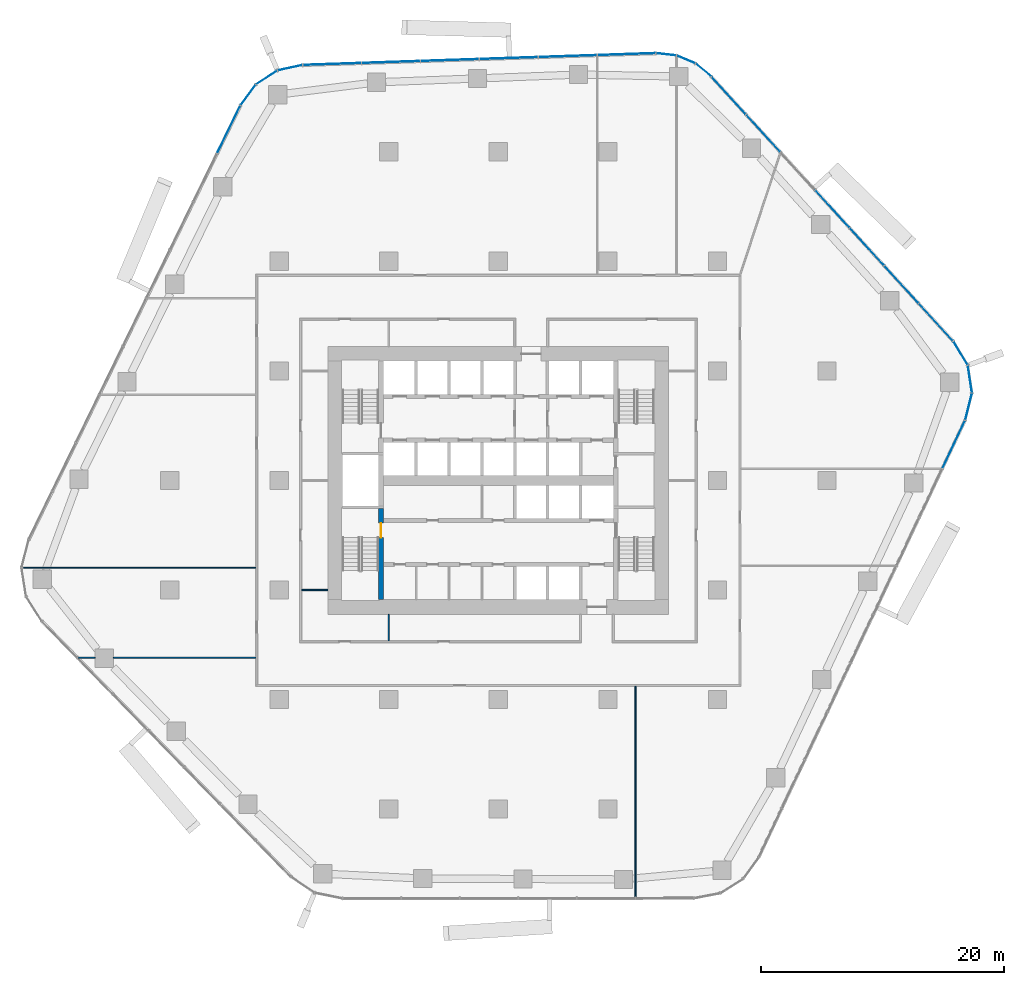
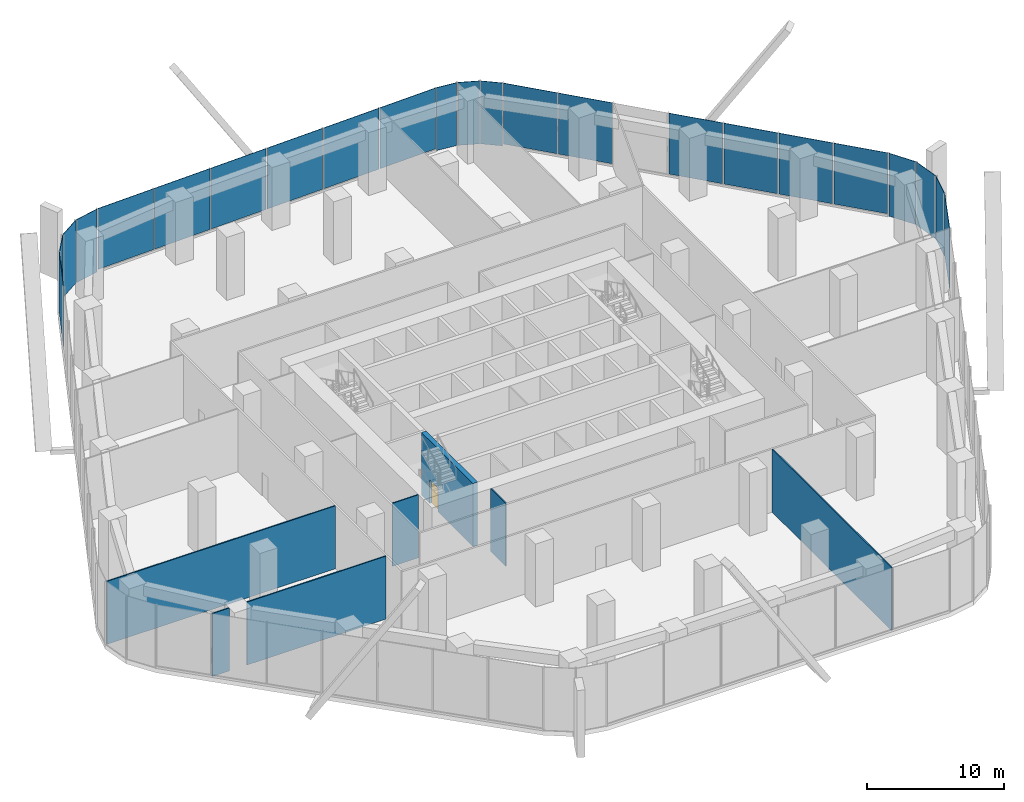
# One storey, part 10 of 19: 23 plates, 7 walls, 1 door, 1 opening, 7 elements without a shape of their own.
"""IFC4 building model written with IfcOpenShell, lengths in metres."""

from ifc_helpers import new_model, si_unit, direction, frame, frame_2d, origin, origin_2d, place, context, subcontext, project, spatial, rectangle, extrude, material, layer, layer_set, type_object, element, fill, aggregate, save


model = new_model("IFC4")

# Units and contexts
model_context = context("Model", 3, precision=1e-05, world=origin(), true_north=direction((0.0, 1.0)))
body_context = subcontext(model_context, "Body", "Model", "MODEL_VIEW")
ifc_project = project(units=[si_unit("LENGTHUNIT", "METRE"), si_unit("AREAUNIT", "SQUARE_METRE"), si_unit("VOLUMEUNIT", "CUBIC_METRE"), si_unit("PLANEANGLEUNIT", "RADIAN"), si_unit("MASSUNIT", "GRAM", prefix="KILO")], contexts=[model_context])

# Site, building, storey
site_placement = place(None, origin())
site = spatial("IfcSite", under=ifc_project, at=site_placement, CompositionType="ELEMENT")
building_placement = place(site_placement, origin())
building = spatial("IfcBuilding", under=site, at=building_placement, Name="Dongbaek Canopy Tower", CompositionType="ELEMENT")
storey_placement = place(building_placement, frame((0.0, 0.0, 38.0)))
storey = spatial("IfcBuildingStorey", under=building, at=storey_placement, Name="L05", CompositionType="ELEMENT", Elevation=38.0)

# Curtain wall, plates
ifc_material_1 = material(Name="Aluminium 6063-T6 pale anodised", Category="aluminium")
ifc_layer_1 = layer(ifc_material_1, 0.25)
ifc_layer_set_1 = layer_set([ifc_layer_1], Name="CW-4 sky-lobby curtain wall")
curtain_wall_type = type_object("IfcCurtainWallType", Name="CW-4 sky-lobby curtain wall", PredefinedType="NOTDEFINED", material=ifc_layer_set_1)
curtain_wall_1_placement = place(storey_placement, origin())
curtain_wall_1 = element("IfcCurtainWall", 1, at=curtain_wall_1_placement, inside=storey, type_object=curtain_wall_type, Name="CW-4 curtain wall K0.1", PredefinedType="NOTDEFINED")
ifc_material_2 = material(Name="Clear laminated glass", Category="glass")
ifc_layer_2 = layer(ifc_material_2, 0.035888671875)
ifc_layer_set_2 = layer_set([ifc_layer_2], Name="CW-4 glazed panel 36")
plate_type = type_object("IfcPlateType", Name="CW-4 glazed panel 36", PredefinedType="CURTAIN_PANEL", material=ifc_layer_set_2)
plate_1_placement = place(storey_placement, frame((38.641357421875, 6.05859375, 0.0), z_axis=(0.0, 0.0, 1.0), x_axis=(0.241843568261, 0.970315252117, 0.0)))
plate_1 = element("IfcPlate", 2, at=plate_1_placement, type_object=plate_type, Name="CW-4 panel K0.1.1.1", PredefinedType="CURTAIN_PANEL", context=body_context, shape_type="SweptSolid", body=[
    extrude(rectangle(XDim=2.224365234375, YDim=0.035888671875, at=origin_2d()), origin(), (0.0, 0.0, 1.0), 5.60009765625),
])
plate_2_placement = place(storey_placement, frame((38.749755859375, 8.324462890625, 0.0), z_axis=(0.0, 0.0, 1.0), x_axis=(-0.149077365062, 0.988825535282, 0.0)))
plate_2 = element("IfcPlate", 3, at=plate_2_placement, type_object=plate_type, Name="CW-4 panel K0.1.2.1", PredefinedType="CURTAIN_PANEL", context=body_context, shape_type="SweptSolid", body=[
    extrude(rectangle(XDim=2.21435546875, YDim=0.035888671875, at=origin_2d()), origin(), (0.0, 0.0, 1.0), 5.60009765625),
])
plate_3_placement = place(storey_placement, frame((37.978271484375, 10.4580078125, 0.0), z_axis=(0.0, 0.0, 1.0), x_axis=(-0.51716533983, 0.85588551295, 0.0)))
plate_3 = element("IfcPlate", 4, at=plate_3_placement, type_object=plate_type, Name="CW-4 panel K0.1.3.1", PredefinedType="CURTAIN_PANEL", context=body_context, shape_type="SweptSolid", body=[
    extrude(rectangle(XDim=2.224365234375, YDim=0.035888671875, at=origin_2d()), origin(), (0.0, 0.0, 1.0), 5.60009765625),
])
aggregate(curtain_wall_1, [plate_1, plate_2, plate_3])

curtain_wall_2_placement = place(storey_placement, origin())
curtain_wall_2 = element("IfcCurtainWall", 5, at=curtain_wall_2_placement, inside=storey, type_object=curtain_wall_type, Name="CW-4 curtain wall F0.1", PredefinedType="NOTDEFINED")
plate_4_placement = place(storey_placement, frame((35.962158203125, 12.999755859375, 0.179931640625), z_axis=(0.0, 0.0, 1.0), x_axis=(-0.674646668897, 0.738140821352, 0.0)))
plate_4 = element("IfcPlate", 6, at=plate_4_placement, type_object=plate_type, Name="CW-4 panel F0.1.1.1", PredefinedType="CURTAIN_PANEL", context=body_context, shape_type="SweptSolid", body=[
    extrude(rectangle(XDim=4.105224609375, YDim=0.035888671875, at=origin_2d()), origin(), (0.0, 0.0, 1.0), 5.419921875),
])
plate_5_placement = place(storey_placement, frame((33.1259765625, 16.10302734375, 0.179931640625), z_axis=(0.0, 0.0, 1.0), x_axis=(-0.674646668897, 0.738140821352, 0.0)))
plate_5 = element("IfcPlate", 7, at=plate_5_placement, type_object=plate_type, Name="CW-4 panel F0.1.2.1", PredefinedType="CURTAIN_PANEL", context=body_context, shape_type="SweptSolid", body=[
    extrude(rectangle(XDim=4.114990234375, YDim=0.035888671875, at=origin_2d()), origin(), (0.0, 0.0, 1.0), 5.419921875),
])
plate_6_placement = place(storey_placement, frame((30.286376953125, 19.2099609375, 0.179931640625), z_axis=(0.0, 0.0, 1.0), x_axis=(-0.674646668897, 0.738140821352, 0.0)))
plate_6 = element("IfcPlate", 8, at=plate_6_placement, type_object=plate_type, Name="CW-4 panel F0.1.3.1", PredefinedType="CURTAIN_PANEL", context=body_context, shape_type="SweptSolid", body=[
    extrude(rectangle(XDim=4.114990234375, YDim=0.035888671875, at=origin_2d()), origin(), (0.0, 0.0, 1.0), 5.419921875),
])
plate_7_placement = place(storey_placement, frame((27.44677734375, 22.316650390625, 0.179931640625), z_axis=(0.0, 0.0, 1.0), x_axis=(-0.674646668897, 0.738140821352, 0.0)))
plate_7 = element("IfcPlate", 9, at=plate_7_placement, type_object=plate_type, Name="CW-4 panel F0.1.4.1", PredefinedType="CURTAIN_PANEL", context=body_context, shape_type="SweptSolid", body=[
    extrude(rectangle(XDim=4.114990234375, YDim=0.035888671875, at=origin_2d()), origin(), (0.0, 0.0, 1.0), 5.419921875),
])
plate_8_placement = place(storey_placement, frame((21.767578125, 28.530517578125, 0.179931640625), z_axis=(0.0, 0.0, 1.0), x_axis=(-0.674646668897, 0.738140821352, 0.0)))
plate_8 = element("IfcPlate", 10, at=plate_8_placement, type_object=plate_type, Name="CW-4 panel F0.1.6.1", PredefinedType="CURTAIN_PANEL", context=body_context, shape_type="SweptSolid", body=[
    extrude(rectangle(XDim=4.114990234375, YDim=0.035888671875, at=origin_2d()), origin(), (0.0, 0.0, 1.0), 5.419921875),
])
plate_9_placement = place(storey_placement, frame((18.930419921875, 31.634521484375, 0.179931640625), z_axis=(0.0, 0.0, 1.0), x_axis=(-0.674646668897, 0.738140821352, 0.0)))
plate_9 = element("IfcPlate", 11, at=plate_9_placement, type_object=plate_type, Name="CW-4 panel F0.1.7.1", PredefinedType="CURTAIN_PANEL", context=body_context, shape_type="SweptSolid", body=[
    extrude(rectangle(XDim=4.10791015625, YDim=0.035888671875, at=origin_2d()), origin(), (0.0, 0.0, 1.0), 5.419921875),
])
aggregate(curtain_wall_2, [plate_4, plate_5, plate_6, plate_7, plate_8, plate_9])

curtain_wall_3_placement = place(storey_placement, origin())
curtain_wall_3 = element("IfcCurtainWall", 12, at=curtain_wall_3_placement, inside=storey, type_object=curtain_wall_type, Name="CW-4 curtain wall K1.1", PredefinedType="NOTDEFINED")
plate_10_placement = place(storey_placement, frame((16.85546875, 33.723876953125, 0.0), z_axis=(0.0, 0.0, 1.0), x_axis=(-0.773563840337, 0.633718379821, 0.0)))
plate_10 = element("IfcPlate", 13, at=plate_10_placement, type_object=plate_type, Name="CW-4 panel K1.1.1.1", PredefinedType="CURTAIN_PANEL", context=body_context, shape_type="SweptSolid", body=[
    extrude(rectangle(XDim=1.60595703125, YDim=0.035888671875, at=origin_2d()), origin(), (0.0, 0.0, 1.0), 5.60009765625),
])
plate_11_placement = place(storey_placement, frame((15.41796875, 34.5908203125, 0.0), z_axis=(0.0, 0.0, 1.0), x_axis=(-0.921670839432, 0.387972761597, 0.0)))
plate_11 = element("IfcPlate", 14, at=plate_11_placement, type_object=plate_type, Name="CW-4 panel K1.1.2.1", PredefinedType="CURTAIN_PANEL", context=body_context, shape_type="SweptSolid", body=[
    extrude(rectangle(XDim=1.5986328125, YDim=0.035888671875, at=origin_2d()), origin(), (0.0, 0.0, 1.0), 5.60009765625),
])
plate_12_placement = place(storey_placement, frame((13.79345703125, 35.012939453125, 0.0), z_axis=(0.0, 0.0, 1.0), x_axis=(-0.993899819316, 0.110286668117, 0.0)))
plate_12 = element("IfcPlate", 15, at=plate_12_placement, type_object=plate_type, Name="CW-4 panel K1.1.3.1", PredefinedType="CURTAIN_PANEL", context=body_context, shape_type="SweptSolid", body=[
    extrude(rectangle(XDim=1.60595703125, YDim=0.035888671875, at=origin_2d()), origin(), (0.0, 0.0, 1.0), 5.60009765625),
])
aggregate(curtain_wall_3, [plate_10, plate_11, plate_12])

curtain_wall_4_placement = place(storey_placement, origin())
curtain_wall_4 = element("IfcCurtainWall", 16, at=curtain_wall_4_placement, inside=storey, type_object=curtain_wall_type, Name="CW-4 curtain wall F1.1", PredefinedType="NOTDEFINED")
plate_13_placement = place(storey_placement, frame((10.5322265625, 35.02587890625, 0.179931640625), z_axis=(0.0, 0.0, 1.0), x_axis=(-0.999440657305, -0.033442077166, 0.0)))
plate_13 = element("IfcPlate", 17, at=plate_13_placement, type_object=plate_type, Name="CW-4 panel F1.1.1.1", PredefinedType="CURTAIN_PANEL", context=body_context, shape_type="SweptSolid", body=[
    extrude(rectangle(XDim=4.741455078125, YDim=0.035888671875, at=origin_2d()), origin(), (0.0, 0.0, 1.0), 5.419921875),
])
plate_14_placement = place(storey_placement, frame((5.696044921875, 34.864013671875, 0.179931640625), z_axis=(0.0, 0.0, 1.0), x_axis=(-0.999440657305, -0.033442077166, 0.0)))
plate_14 = element("IfcPlate", 18, at=plate_14_placement, type_object=plate_type, Name="CW-4 panel F1.1.2.1", PredefinedType="CURTAIN_PANEL", context=body_context, shape_type="SweptSolid", body=[
    extrude(rectangle(XDim=4.74853515625, YDim=0.035888671875, at=origin_2d()), origin(), (0.0, 0.0, 1.0), 5.419921875),
])
plate_15_placement = place(storey_placement, frame((0.856201171875, 34.7021484375, 0.179931640625), z_axis=(0.0, 0.0, 1.0), x_axis=(-0.999440657305, -0.033442077166, 0.0)))
plate_15 = element("IfcPlate", 19, at=plate_15_placement, type_object=plate_type, Name="CW-4 panel F1.1.3.1", PredefinedType="CURTAIN_PANEL", context=body_context, shape_type="SweptSolid", body=[
    extrude(rectangle(XDim=4.74853515625, YDim=0.035888671875, at=origin_2d()), origin(), (0.0, 0.0, 1.0), 5.419921875),
])
plate_16_placement = place(storey_placement, frame((-3.983642578125, 34.540283203125, 0.179931640625), z_axis=(0.0, 0.0, 1.0), x_axis=(-0.999440657305, -0.033442077166, 0.0)))
plate_16 = element("IfcPlate", 20, at=plate_16_placement, type_object=plate_type, Name="CW-4 panel F1.1.4.1", PredefinedType="CURTAIN_PANEL", context=body_context, shape_type="SweptSolid", body=[
    extrude(rectangle(XDim=4.74853515625, YDim=0.035888671875, at=origin_2d()), origin(), (0.0, 0.0, 1.0), 5.419921875),
])
plate_17_placement = place(storey_placement, frame((-8.823486328125, 34.378173828125, 0.179931640625), z_axis=(0.0, 0.0, 1.0), x_axis=(-0.999440657305, -0.033442077166, 0.0)))
plate_17 = element("IfcPlate", 21, at=plate_17_placement, type_object=plate_type, Name="CW-4 panel F1.1.5.1", PredefinedType="CURTAIN_PANEL", context=body_context, shape_type="SweptSolid", body=[
    extrude(rectangle(XDim=4.74853515625, YDim=0.035888671875, at=origin_2d()), origin(), (0.0, 0.0, 1.0), 5.419921875),
])
plate_18_placement = place(storey_placement, frame((-13.658935546875, 34.21630859375, 0.179931640625), z_axis=(0.0, 0.0, 1.0), x_axis=(-0.999440657305, -0.033442077166, 0.0)))
plate_18 = element("IfcPlate", 22, at=plate_18_placement, type_object=plate_type, Name="CW-4 panel F1.1.6.1", PredefinedType="CURTAIN_PANEL", context=body_context, shape_type="SweptSolid", body=[
    extrude(rectangle(XDim=4.739501953125, YDim=0.035888671875, at=origin_2d()), origin(), (0.0, 0.0, 1.0), 5.419921875),
])
aggregate(curtain_wall_4, [plate_13, plate_14, plate_15, plate_16, plate_17, plate_18])

curtain_wall_5_placement = place(storey_placement, origin())
curtain_wall_5 = element("IfcCurtainWall", 23, at=curtain_wall_5_placement, inside=storey, type_object=curtain_wall_type, Name="CW-4 curtain wall K2.1", PredefinedType="NOTDEFINED")
plate_19_placement = place(storey_placement, frame((-17.114013671875, 33.90966796875, 0.0), z_axis=(0.0, 0.0, 1.0), x_axis=(-0.977178622754, -0.212419253442, 0.0)))
plate_19 = element("IfcPlate", 24, at=plate_19_placement, type_object=plate_type, Name="CW-4 panel K2.1.1.1", PredefinedType="CURTAIN_PANEL", context=body_context, shape_type="SweptSolid", body=[
    extrude(rectangle(XDim=2.0341796875, YDim=0.035888671875, at=origin_2d()), origin(), (0.0, 0.0, 1.0), 5.60009765625),
])
plate_20_placement = place(storey_placement, frame((-19.042724609375, 33.107177734375, 0.0), z_axis=(0.0, 0.0, 1.0), x_axis=(-0.8390544011, -0.544047527331, 0.0)))
plate_20 = element("IfcPlate", 25, at=plate_20_placement, type_object=plate_type, Name="CW-4 panel K2.1.2.1", PredefinedType="CURTAIN_PANEL", context=body_context, shape_type="SweptSolid", body=[
    extrude(rectangle(XDim=2.02490234375, YDim=0.035888671875, at=origin_2d()), origin(), (0.0, 0.0, 1.0), 5.60009765625),
])
plate_21_placement = place(storey_placement, frame((-20.5625, 31.673583984375, 0.0), z_axis=(0.0, 0.0, 1.0), x_axis=(-0.59264549968, -0.805463414258, 0.0)))
plate_21 = element("IfcPlate", 26, at=plate_21_placement, type_object=plate_type, Name="CW-4 panel K2.1.3.1", PredefinedType="CURTAIN_PANEL", context=body_context, shape_type="SweptSolid", body=[
    extrude(rectangle(XDim=2.0341796875, YDim=0.035888671875, at=origin_2d()), origin(), (0.0, 0.0, 1.0), 5.60009765625),
])
aggregate(curtain_wall_5, [plate_19, plate_20, plate_21])

# Curtain wall, plate
curtain_wall_6_placement = place(storey_placement, origin())
curtain_wall_6 = element("IfcCurtainWall", 27, at=curtain_wall_6_placement, inside=storey, type_object=curtain_wall_type, Name="CW-4 curtain wall F2.1", PredefinedType="NOTDEFINED")
plate_22_placement = place(storey_placement, frame((-22.157958984375, 28.837890625, 0.179931640625), z_axis=(0.0, 0.0, 1.0), x_axis=(-0.438327995219, -0.898815091444, 0.0)))
plate_22 = element("IfcPlate", 28, at=plate_22_placement, type_object=plate_type, Name="CW-4 panel F2.1.1.1", PredefinedType="CURTAIN_PANEL", context=body_context, shape_type="SweptSolid", body=[
    extrude(rectangle(XDim=4.308837890625, YDim=0.035888671875, at=origin_2d()), origin(), (0.0, 0.0, 1.0), 5.419921875),
])
aggregate(curtain_wall_6, [plate_22])

curtain_wall_7_placement = place(storey_placement, origin())
curtain_wall_7 = element("IfcCurtainWall", 29, at=curtain_wall_7_placement, inside=storey, type_object=curtain_wall_type, Name="CW-4 curtain wall F5.1", PredefinedType="NOTDEFINED")
plate_23_placement = place(storey_placement, frame((37.42138671875, 2.944091796875, 0.179931640625), z_axis=(0.0, 0.0, 1.0), x_axis=(0.427038992534, 0.904233210436, 0.0)))
plate_23 = element("IfcPlate", 30, at=plate_23_placement, type_object=plate_type, Name="CW-4 panel F5.1.9.1", PredefinedType="CURTAIN_PANEL", context=body_context, shape_type="SweptSolid", body=[
    extrude(rectangle(XDim=4.30712890625, YDim=0.035888671875, at=origin_2d()), origin(), (0.0, 0.0, 1.0), 5.419921875),
])
aggregate(curtain_wall_7, [plate_23])

# Walls
ifc_material_3 = material(Name="Gypsum board partition, steel stud, 2 x 12.5 mm board", Category="steel")
ifc_layer_3 = layer(ifc_material_3, 0.10009765625)
ifc_layer_set_3 = layer_set([ifc_layer_3], Name="Partition 100 gypsum board")
wall_type_1 = type_object("IfcWallType", Name="Partition 100 gypsum board", PredefinedType="PARTITIONING", material=ifc_layer_set_3)
wall_1_placement = place(storey_placement, frame((-34.560791015625, -14.569091796875, 0.0), z_axis=(0.0, 0.0, 1.0), x_axis=(1.0, 0.0, 0.0)))
element("IfcWall", 31, at=wall_1_placement, inside=storey, type_object=wall_type_1, Name="Partition", PredefinedType="PARTITIONING", context=body_context, shape_type="SweptSolid", body=[
    extrude(rectangle(XDim=1.4287109375, YDim=0.10009765625, at=frame_2d((0.71435546875, 0.0))), origin(), (0.0, 0.0, 1.0), 5.60009765625),
])
wall_2_placement = place(storey_placement, frame((-31.632080078125, -14.569091796875, 0.0), z_axis=(0.0, 0.0, 1.0), x_axis=(1.0, 0.0, 0.0)))
element("IfcWall", 32, at=wall_2_placement, inside=storey, type_object=wall_type_1, Name="Partition", PredefinedType="PARTITIONING", context=body_context, shape_type="SweptSolid", body=[
    extrude(rectangle(XDim=11.70703125, YDim=0.10009765625, at=frame_2d((5.853515625, 0.0))), origin(), (0.0, 0.0, 1.0), 5.60009765625),
])
wall_3_placement = place(storey_placement, frame((-16.175048828125, -9.0, 0.0), z_axis=(0.0, 0.0, 1.0), x_axis=(1.0, 0.0, 0.0)))
element("IfcWall", 33, at=wall_3_placement, inside=storey, type_object=wall_type_1, Name="Partition", PredefinedType="PARTITIONING", context=body_context, shape_type="SweptSolid", body=[
    extrude(rectangle(XDim=2.175048828125, YDim=0.10009765625, at=frame_2d((1.08740234375, 0.0))), origin(), (0.0, 0.0, 1.0), 5.60009765625),
])
wall_4_placement = place(storey_placement, frame((-39.161865234375, -7.18603515625, 0.0), z_axis=(0.0, 0.0, 1.0), x_axis=(1.0, 0.0, 0.0)))
element("IfcWall", 34, at=wall_4_placement, inside=storey, type_object=wall_type_1, Name="Partition", PredefinedType="PARTITIONING", context=body_context, shape_type="SweptSolid", body=[
    extrude(rectangle(XDim=19.23681640625, YDim=0.10009765625, at=frame_2d((9.618408203125, 0.0))), origin(), (0.0, 0.0, 1.0), 5.60009765625),
])
wall_5_placement = place(storey_placement, frame((11.26611328125, -34.317626953125, 0.0), z_axis=(0.0, 0.0, 1.0), x_axis=(0.0, 1.0, 0.0)))
element("IfcWall", 35, at=wall_5_placement, inside=storey, type_object=wall_type_1, Name="Partition", PredefinedType="PARTITIONING", context=body_context, shape_type="SweptSolid", body=[
    extrude(rectangle(XDim=17.392578125, YDim=0.10009765625, at=frame_2d((8.6962890625, 0.0))), origin(), (0.0, 0.0, 1.0), 5.60009765625),
])
wall_6_placement = place(storey_placement, frame((-9.0, -13.175048828125, 0.0), z_axis=(0.0, 0.0, 1.0), x_axis=(0.0, 1.0, 0.0)))
element("IfcWall", 36, at=wall_6_placement, inside=storey, type_object=wall_type_1, Name="Partition", PredefinedType="PARTITIONING", context=body_context, shape_type="SweptSolid", body=[
    extrude(rectangle(XDim=2.175048828125, YDim=0.10009765625, at=frame_2d((1.08740234375, 0.0))), origin(), (0.0, 0.0, 1.0), 5.60009765625),
])

# Wall, opening, door
ifc_material_4 = material(Name="Concrete C60/75", Category="concrete")
ifc_layer_4 = layer(ifc_material_4, 0.39990234375)
ifc_layer_set_4 = layer_set([ifc_layer_4], Name="Stair wall 400 Concrete C60/75")
wall_type_2 = type_object("IfcWallType", Name="Stair wall 400 Concrete C60/75", PredefinedType="SHEAR", material=ifc_layer_set_4)
wall_7_placement = place(storey_placement, frame((-9.64990234375, -9.800048828125, 0.0), z_axis=(0.0, 0.0, 1.0), x_axis=(0.0, 1.0, 0.0)))
wall_7 = element("IfcWall", 37, at=wall_7_placement, inside=storey, type_object=wall_type_2, Name="Stair wall", PredefinedType="SHEAR", context=body_context, shape_type="SweptSolid", body=[
    extrude(rectangle(XDim=7.5, YDim=0.39990234375, at=frame_2d((3.75, 0.0))), origin(), (0.0, 0.0, 1.0), 5.60009765625),
])
opening_placement = place(wall_7_placement, frame((5.10009765625, 0.0, 0.0)))
opening = element("IfcOpeningElement", 38, at=opening_placement, cuts=wall_7, Name="Opening L05-D048", PredefinedType="OPENING", context=body_context, shape_type="SweptSolid", body=[
    extrude(rectangle(XDim=1.199951171875, YDim=2.10009765625, at=frame_2d((0.60009765625, 1.050048828125))), frame((0.0, 0.2099609375, 0.0), z_axis=(0.0, -1.0, 0.0), x_axis=(1.0, 0.0, 0.0)), (0.0, 0.0, 1.0), 0.419921875),
])
ifc_material_5 = material(Name="Steel", Category="steel")
door_type = type_object("IfcDoorType", Name="Stair door 1200 x 2100", OperationType="SINGLE_SWING_LEFT", PredefinedType="DOOR", material=ifc_material_5)
door_placement = place(opening_placement, origin())
door = element("IfcDoor", 39, at=door_placement, inside=storey, type_object=door_type, Name="Stair D door", OperationType="SINGLE_SWING_LEFT", OverallHeight=2.10009765625, OverallWidth=1.199951171875, PredefinedType="DOOR", context=body_context, shape_type="SweptSolid", body=[
    extrude(rectangle(XDim=1.199951171875, YDim=2.10009765625, at=frame_2d((0.60009765625, 1.050048828125))), frame((0.0, 0.02490234375, 0.0), z_axis=(0.0, -1.0, 0.0), x_axis=(1.0, 0.0, 0.0)), (0.0, 0.0, 1.0), 0.050048828125),
])
fill(opening, door)

save(model, "model.ifc")
